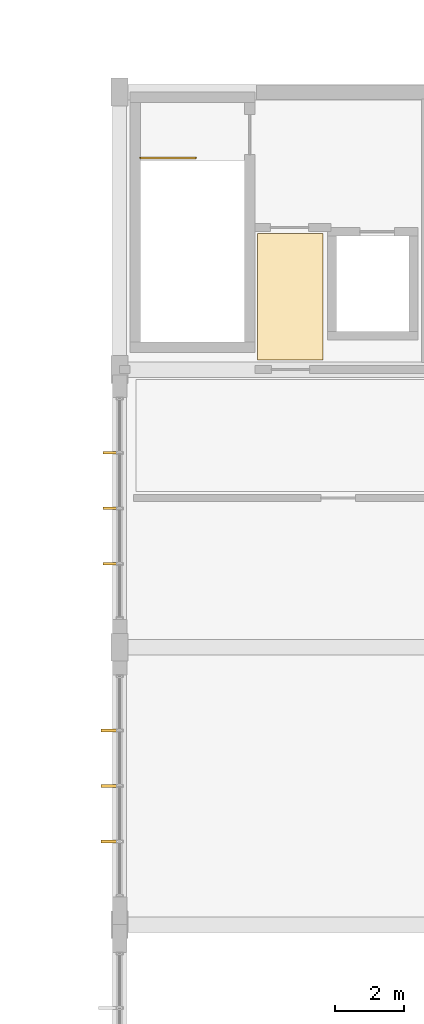
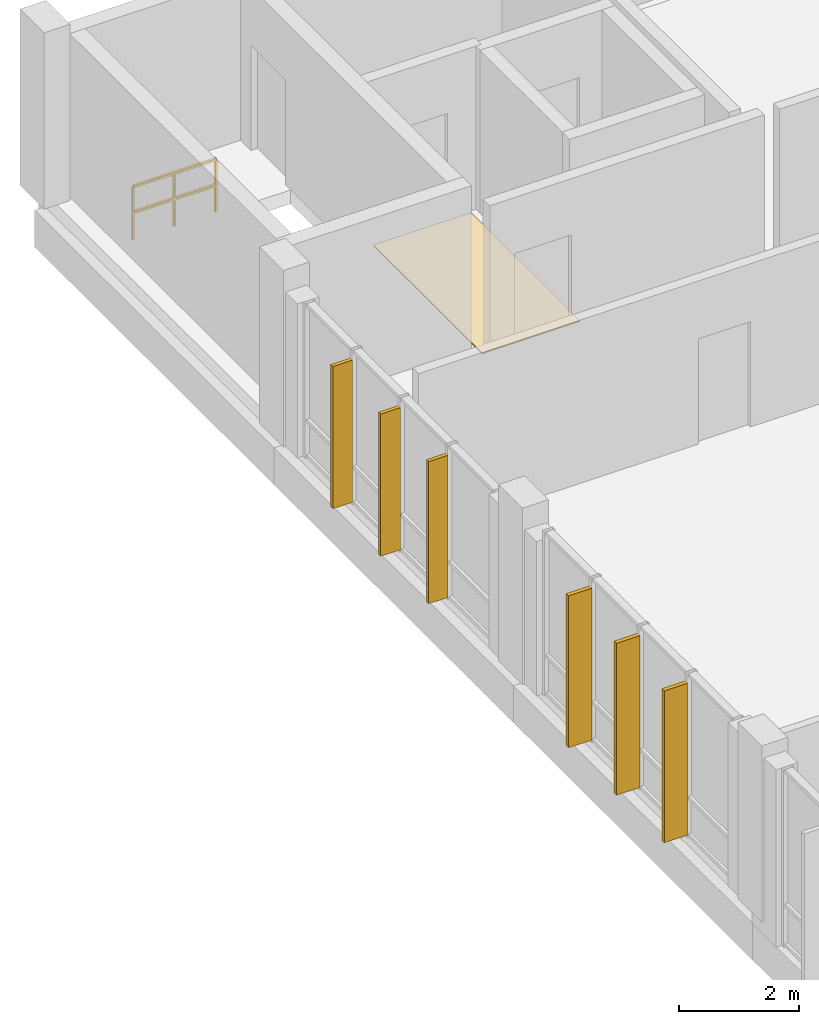
# One storey, part 178 of 189: 6 shading devices, 1 covering, 1 railing.
"""IFC4 building model written with IfcOpenShell, lengths in metres."""

from ifc_helpers import new_model, si_unit, direction, frame, origin, origin_2d, place, context, subcontext, project, spatial, polyline, rectangle, outline, extrude, material, layer, layer_set, type_object, element, save


model = new_model("IFC4")

# Units and contexts
model_context = context("Model", 3, precision=1e-05, world=origin(), true_north=direction((0.0, 1.0)))
body_context = subcontext(model_context, "Body", "Model", "MODEL_VIEW")
ifc_project = project(units=[si_unit("LENGTHUNIT", "METRE"), si_unit("AREAUNIT", "SQUARE_METRE"), si_unit("VOLUMEUNIT", "CUBIC_METRE"), si_unit("PLANEANGLEUNIT", "RADIAN"), si_unit("MASSUNIT", "GRAM", prefix="KILO")], contexts=[model_context])

# Site, building, storey
site_placement = place(None, origin())
site = spatial("IfcSite", under=ifc_project, at=site_placement, CompositionType="ELEMENT")
building_placement = place(site_placement, origin())
building = spatial("IfcBuilding", under=site, at=building_placement, Name="Zavelmont Quarter", CompositionType="ELEMENT")
storey_placement = place(building_placement, frame((0.0, 0.0, 4.39990234375)))
storey = spatial("IfcBuildingStorey", under=building, at=storey_placement, Name="L01", CompositionType="ELEMENT", Elevation=4.39990234375)

# Covering
ifc_material_1 = material(Name="Engineered European oak parquet")
ifc_layer = layer(ifc_material_1, 0.02197265625)
ifc_layer_set = layer_set([ifc_layer], Name="Engineered European oak parquet")
covering_type = type_object("IfcCoveringType", Name="CV-FL01", PredefinedType="FLOORING", material=ifc_layer_set)
covering_placement = place(storey_placement, origin())
element("IfcCovering", 1, at=covering_placement, inside=storey, type_object=covering_type, Name="L01 Lobby Vestibule floor finish", PredefinedType="FLOORING", context=body_context, shape_type="SweptSolid", body=[
    extrude(outline(polyline([(59.179931640625, 81.919921875), (61.070068359375, 81.919921875), (61.070068359375, 78.280029296875), (59.179931640625, 78.280029296875), (59.179931640625, 81.919921875)])), origin(), (0.0, 0.0, 1.0), 0.022216796875),
])

# Railing
ifc_material_2 = material(Name="Powder-coated steel stair guardrail", Category="steel")
railing_type = type_object("IfcRailingType", Name="RL-GRD1", PredefinedType="GUARDRAIL", material=ifc_material_2)
railing_placement = place(storey_placement, frame((55.800048828125, 84.10009765625, 0.0)))
element("IfcRailing", 2, at=railing_placement, inside=storey, type_object=railing_type, Name="L01 ST09 top well guardrail 1", PredefinedType="GUARDRAIL", context=body_context, shape_type="SweptSolid", body=[
    extrude(rectangle(XDim=0.048095703125, YDim=0.048095703125, at=origin_2d()), frame((0.0, 0.0, 1.076171875), z_axis=(1.0, 0.0, 0.0), x_axis=(0.0, 1.0, 0.0)), (0.0, 0.0, 1.0), 1.599853515625),
    extrude(rectangle(XDim=0.048095703125, YDim=0.048095703125, at=origin_2d()), frame((0.0, 0.0, 0.550048828125), z_axis=(1.0, 0.0, 0.0), x_axis=(0.0, 1.0, 0.0)), (0.0, 0.0, 1.0), 1.599853515625),
    extrude(rectangle(XDim=0.0419921875, YDim=0.0419921875, at=origin_2d()), origin(), (0.0, 0.0, 1.0), 1.052001953125),
    extrude(rectangle(XDim=0.0419921875, YDim=0.0419921875, at=origin_2d()), frame((0.7998046875, 0.0, 0.0)), (0.0, 0.0, 1.0), 1.052001953125),
    extrude(rectangle(XDim=0.0419921875, YDim=0.0419921875, at=origin_2d()), frame((1.599853515625, 0.0, 0.0)), (0.0, 0.0, 1.0), 1.052001953125),
])

# Shading devices
ifc_material_3 = material(Name="Anodised aluminium EN AW-6063-T6", Category="aluminium")
shading_device_type_1 = type_object("IfcShadingDeviceType", Name="SD02", PredefinedType="JALOUSIE", material=ifc_material_3)
for number, where, z_axis, x_axis, name in (
    (3, (54.885009765625, 64.39990234375, 0.050048828125), (0.0, 0.0, 1.0), (0.0, 1.0, 0.0), "L01 solar brise-soleil fin SD02"),
    (4, (54.885009765625, 66.0, 0.050048828125), (0.0, 0.0, 1.0), (0.0, 1.0, 0.0), "L01 solar brise-soleil fin SD02"),
    (5, (54.885009765625, 67.60009765625, 0.050048828125), (0.0, 0.0, 1.0), (0.0, 1.0, 0.0), "L01 solar brise-soleil fin SD02"),
):
    element("IfcShadingDevice", number, at=place(storey_placement, frame(where, z_axis=z_axis, x_axis=x_axis)), inside=storey, type_object=shading_device_type_1, Name=name, PredefinedType="JALOUSIE", context=body_context, shape_type="SweptSolid", body=[
        extrude(rectangle(XDim=0.080078125, YDim=0.449951171875, at=origin_2d()), origin(), (0.0, 0.0, 1.0), 3.10009765625),
    ])
shading_device_type_2 = type_object("IfcShadingDeviceType", Name="SD05", PredefinedType="JALOUSIE", material=ifc_material_3)
for number, where, z_axis, x_axis, name in (
    (6, (54.919921875, 72.39990234375, 0.050048828125), (0.0, 0.0, 1.0), (0.0, 1.0, 0.0), "L01 solar brise-soleil fin SD05"),
    (7, (54.919921875, 74.0, 0.050048828125), (0.0, 0.0, 1.0), (0.0, 1.0, 0.0), "L01 solar brise-soleil fin SD05"),
    (8, (54.919921875, 75.60009765625, 0.050048828125), (0.0, 0.0, 1.0), (0.0, 1.0, 0.0), "L01 solar brise-soleil fin SD05"),
):
    element("IfcShadingDevice", number, at=place(storey_placement, frame(where, z_axis=z_axis, x_axis=x_axis)), inside=storey, type_object=shading_device_type_2, Name=name, PredefinedType="JALOUSIE", context=body_context, shape_type="SweptSolid", body=[
        extrude(rectangle(XDim=0.070068359375, YDim=0.3798828125, at=origin_2d()), origin(), (0.0, 0.0, 1.0), 2.89990234375),
    ])

save(model, "model.ifc")
